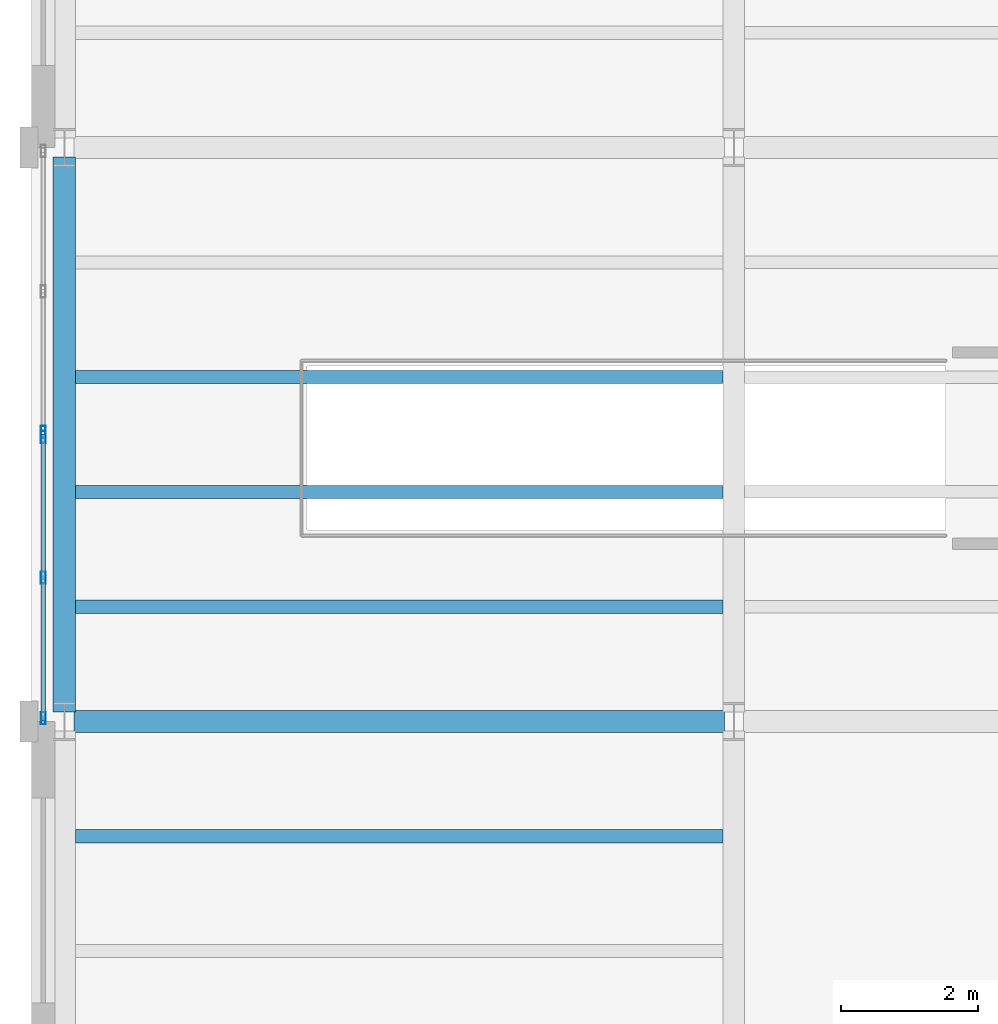
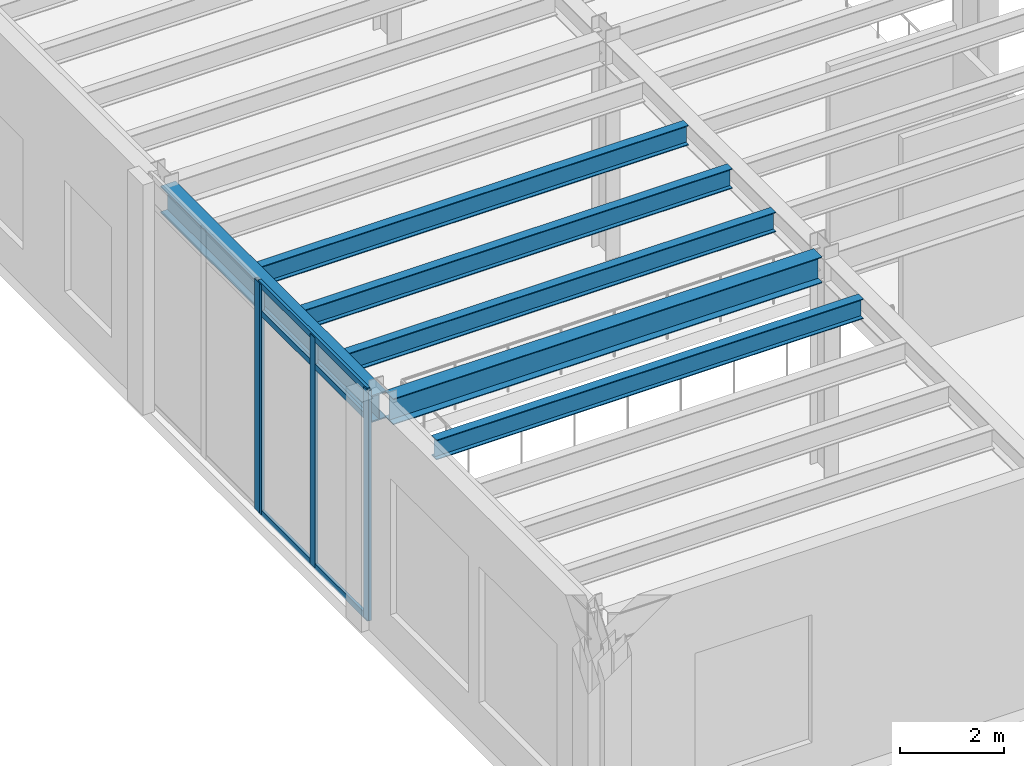
# One storey, part 18 of 98: 7 members, 6 beams, 2 elements without a shape of their own.
"""IFC4 building model written with IfcOpenShell, lengths in metres."""

from ifc_helpers import new_model, si_unit, direction, frame, origin, origin_2d, place, context, subcontext, project, spatial, hollow_rectangle, i_section, extrude, material, layer, layer_set, material_profile, profile_set, type_object, element, aggregate, save


model = new_model("IFC4")

# Units and contexts
model_context = context("Model", 3, precision=1e-05, world=origin(), true_north=direction((0.0, 1.0)))
body_context = subcontext(model_context, "Body", "Model", "MODEL_VIEW")
ifc_project = project(units=[si_unit("LENGTHUNIT", "METRE"), si_unit("AREAUNIT", "SQUARE_METRE"), si_unit("VOLUMEUNIT", "CUBIC_METRE"), si_unit("PLANEANGLEUNIT", "RADIAN"), si_unit("MASSUNIT", "GRAM", prefix="KILO")], contexts=[model_context])

# Site, building, storey
site_placement = place(None, origin())
site = spatial("IfcSite", under=ifc_project, at=site_placement, CompositionType="ELEMENT")
building_placement = place(site_placement, origin())
building = spatial("IfcBuilding", under=site, at=building_placement, Name="Sollismere Congress Hotel", CompositionType="ELEMENT")
storey_placement = place(building_placement, frame((0.0, 0.0, 5.39990234375)))
storey = spatial("IfcBuildingStorey", under=building, at=storey_placement, Name="L01", CompositionType="ELEMENT", Elevation=5.39990234375)

# Beams
ifc_material_1 = material(Name="Steel ASTM A992 Grade 50", Category="steel")
ifc_material_profile_1 = material_profile(ifc_material_1, i_section(OverallWidth=0.324951171875, OverallDepth=0.612060546875, WebThickness=0.0126953125, FlangeThickness=0.01904296875, at=origin_2d()), Name="W24X104")
ifc_profile_set_1 = profile_set([ifc_material_profile_1], Name="Steel ASTM A992 Grade 50")
beam_type_1 = type_object("IfcBeamType", Name="BM-G24", PredefinedType="BEAM", material=ifc_profile_set_1)
beam_1_placement = place(storey_placement, frame((0.139892578125, 33.199951171875, 4.814208984375), z_axis=(1.0, 0.0, 0.0), x_axis=(0.0, 1.0, 0.0)))
element("IfcBeam", 1, at=beam_1_placement, inside=storey, type_object=beam_type_1, Name="Beam BM-L01-1563", PredefinedType="BEAM", context=body_context, shape_type="SweptSolid", body=[
    extrude(i_section(OverallWidth=0.324951171875, OverallDepth=0.612060546875, WebThickness=0.0126953125, FlangeThickness=0.01904296875, at=origin_2d()), origin(), (0.0, 0.0, 1.0), 9.52001953125),
])
ifc_material_profile_2 = material_profile(ifc_material_1, i_section(OverallWidth=0.193115234375, OverallDepth=0.467041015625, WebThickness=0.011474609375, FlangeThickness=0.01904296875, at=origin_2d()), Name="W18X65")
ifc_profile_set_2 = profile_set([ifc_material_profile_2], Name="Steel ASTM A992 Grade 50")
beam_type_2 = type_object("IfcBeamType", Name="BM-J18", PredefinedType="JOIST", material=ifc_profile_set_2)
for number, where, z_axis, x_axis, name in (
    (2, (0.1650390625, 31.52001953125, 4.88671875), (1.0, 0.0, 0.0), (0.0, 1.0, 0.0), "Beam BM-L01-1726"),
    (3, (0.1650390625, 34.8798828125, 4.88671875), (1.0, 0.0, 0.0), (0.0, 1.0, 0.0), "Beam BM-L01-1727"),
    (4, (0.1650390625, 36.56005859375, 4.88671875), (1.0, 0.0, 0.0), (0.0, 1.0, 0.0), "Beam BM-L01-1728"),
    (5, (0.1650390625, 38.239990234375, 4.88671875), (1.0, 0.0, 0.0), (0.0, 1.0, 0.0), "Beam BM-L01-1729"),
):
    element("IfcBeam", number, at=place(storey_placement, frame(where, z_axis=z_axis, x_axis=x_axis)), inside=storey, type_object=beam_type_2, Name=name, PredefinedType="JOIST", context=body_context, shape_type="SweptSolid", body=[
        extrude(i_section(OverallWidth=0.193115234375, OverallDepth=0.467041015625, WebThickness=0.011474609375, FlangeThickness=0.01904296875, at=origin_2d()), origin(), (0.0, 0.0, 1.0), 9.4775390625),
    ])
ifc_material_profile_3 = material_profile(ifc_material_1, i_section(OverallWidth=0.330078125, OverallDepth=0.635009765625, WebThickness=0.017822265625, FlangeThickness=0.031005859375, at=origin_2d()), Name="W24X162")
ifc_profile_set_3 = profile_set([ifc_material_profile_3], Name="Steel ASTM A992 Grade 50")
beam_type_3 = type_object("IfcBeamType", Name="BM-SP24E", PredefinedType="SPANDREL", material=ifc_profile_set_3)
beam_2_placement = place(storey_placement, frame((0.0, 33.340087890625, 4.802490234375), z_axis=(0.0, 1.0, 0.0), x_axis=(-1.0, 0.0, 0.0)))
element("IfcBeam", 6, at=beam_2_placement, inside=storey, type_object=beam_type_3, Name="Beam BM-L01-1624", PredefinedType="SPANDREL", context=body_context, shape_type="SweptSolid", body=[
    extrude(i_section(OverallWidth=0.330078125, OverallDepth=0.635009765625, WebThickness=0.017822265625, FlangeThickness=0.031005859375, at=origin_2d()), origin(), (0.0, 0.0, 1.0), 8.119873046875),
])

# Curtain wall, members
ifc_material_2 = material(Name="Anodized Bronze Curtain Wall & Low-E Triple Glazing", Category="glass")
ifc_layer = layer(ifc_material_2, 0.199951171875, Name="Anodized Bronze Curtain Wall & Low-E Triple Glazing")
ifc_layer_set = layer_set([ifc_layer], Name="Anodized Bronze Curtain Wall & Low-E Triple Glazing")
curtain_wall_type = type_object("IfcCurtainWallType", Name="CW-GLZ36", PredefinedType="USERDEFINED", material=ifc_layer_set)
curtain_wall_1_placement = place(storey_placement, origin())
curtain_wall_1 = element("IfcCurtainWall", 7, at=curtain_wall_1_placement, inside=storey, type_object=curtain_wall_type, Name="Unitised curtain wall CW-L01-127", ObjectType="UNITISED CURTAIN WALL", PredefinedType="USERDEFINED")
ifc_material_3 = material(Name="Anodized Aluminum 6063-T6", Category="aluminium")
ifc_material_profile_4 = material_profile(ifc_material_3, hollow_rectangle(XDim=0.074951171875, YDim=0.179931640625, WallThickness=0.0048828125, at=origin_2d()), Name="ALU180X75X5")
ifc_profile_set_4 = profile_set([ifc_material_profile_4], Name="Anodized Aluminum 6063-T6")
member_type_1 = type_object("IfcMemberType", Name="ML-CW180", PredefinedType="MULLION", material=ifc_profile_set_4)
member_1_placement = place(storey_placement, frame((-0.31005859375, 33.248046875, 0.0), z_axis=(0.0, 0.0, 1.0), x_axis=(-1.0, 0.0, 0.0)))
member_1 = element("IfcMember", 8, at=member_1_placement, type_object=member_type_1, Name="CWL-CW-L01-127-ML01", PredefinedType="MULLION", context=body_context, shape_type="SweptSolid", body=[
    extrude(hollow_rectangle(XDim=0.074951171875, YDim=0.179931640625, WallThickness=0.0048828125, at=origin_2d()), origin(), (0.0, 0.0, 1.0), 5.400146484375),
])
member_2_placement = place(storey_placement, frame((-0.31005859375, 35.304931640625, 0.0), z_axis=(0.0, 0.0, 1.0), x_axis=(-1.0, 0.0, 0.0)))
member_2 = element("IfcMember", 9, at=member_2_placement, type_object=member_type_1, Name="CWL-CW-L01-127-ML02", PredefinedType="MULLION", context=body_context, shape_type="SweptSolid", body=[
    extrude(hollow_rectangle(XDim=0.074951171875, YDim=0.179931640625, WallThickness=0.0048828125, at=origin_2d()), origin(), (0.0, 0.0, 1.0), 5.400146484375),
])
member_3_placement = place(storey_placement, frame((-0.31005859375, 37.362060546875, 0.0), z_axis=(0.0, 0.0, 1.0), x_axis=(-1.0, 0.0, 0.0)))
member_3 = element("IfcMember", 10, at=member_3_placement, type_object=member_type_1, Name="CWL-CW-L01-127-ML03", PredefinedType="MULLION", context=body_context, shape_type="SweptSolid", body=[
    extrude(hollow_rectangle(XDim=0.074951171875, YDim=0.179931640625, WallThickness=0.0048828125, at=origin_2d()), origin(), (0.0, 0.0, 1.0), 5.400146484375),
])

# Curtain wall, member
curtain_wall_2_placement = place(storey_placement, origin())
curtain_wall_2 = element("IfcCurtainWall", 11, at=curtain_wall_2_placement, inside=storey, type_object=curtain_wall_type, Name="Unitised curtain wall CW-L01-128", ObjectType="UNITISED CURTAIN WALL", PredefinedType="USERDEFINED")
member_4_placement = place(storey_placement, frame((-0.31005859375, 37.43798828125, 0.0), z_axis=(0.0, 0.0, 1.0), x_axis=(-1.0, 0.0, 0.0)))
member_4 = element("IfcMember", 12, at=member_4_placement, type_object=member_type_1, Name="CWL-CW-L01-128-ML01", PredefinedType="MULLION", context=body_context, shape_type="SweptSolid", body=[
    extrude(hollow_rectangle(XDim=0.074951171875, YDim=0.179931640625, WallThickness=0.0048828125, at=origin_2d()), origin(), (0.0, 0.0, 1.0), 5.400146484375),
])
aggregate(curtain_wall_2, [member_4])

# Member
ifc_material_profile_5 = material_profile(ifc_material_3, hollow_rectangle(XDim=0.06494140625, YDim=0.139892578125, WallThickness=0.00390625, at=origin_2d()), Name="ALU140X65X4")
ifc_profile_set_5 = profile_set([ifc_material_profile_5], Name="Anodized Aluminum 6063-T6")
member_type_2 = type_object("IfcMemberType", Name="TR-CW150", PredefinedType="MEMBER", material=ifc_profile_set_5)
member_5_placement = place(storey_placement, frame((-0.31005859375, 33.2099609375, 0.03271484375), z_axis=(0.0, 1.0, 0.0), x_axis=(-1.0, 0.0, 0.0)))
member_5 = element("IfcMember", 13, at=member_5_placement, type_object=member_type_2, Name="CWL-CW-L01-127-TR1", PredefinedType="MEMBER", context=body_context, shape_type="SweptSolid", body=[
    extrude(hollow_rectangle(XDim=0.06494140625, YDim=0.139892578125, WallThickness=0.00390625, at=origin_2d()), origin(), (0.0, 0.0, 1.0), 4.18994140625),
])

member_6_placement = place(storey_placement, frame((-0.31005859375, 33.2099609375, 4.72021484375), z_axis=(0.0, 1.0, 0.0), x_axis=(-1.0, 0.0, 0.0)))
member_6 = element("IfcMember", 14, at=member_6_placement, type_object=member_type_2, Name="CWL-CW-L01-127-TR2", PredefinedType="MEMBER", context=body_context, shape_type="SweptSolid", body=[
    extrude(hollow_rectangle(XDim=0.06494140625, YDim=0.139892578125, WallThickness=0.00390625, at=origin_2d()), origin(), (0.0, 0.0, 1.0), 4.18994140625),
])

member_7_placement = place(storey_placement, frame((-0.31005859375, 33.2099609375, 5.36767578125), z_axis=(0.0, 1.0, 0.0), x_axis=(-1.0, 0.0, 0.0)))
member_7 = element("IfcMember", 15, at=member_7_placement, type_object=member_type_2, Name="CWL-CW-L01-127-TR3", PredefinedType="MEMBER", context=body_context, shape_type="SweptSolid", body=[
    extrude(hollow_rectangle(XDim=0.06494140625, YDim=0.139892578125, WallThickness=0.00390625, at=origin_2d()), origin(), (0.0, 0.0, 1.0), 4.18994140625),
])

aggregate(curtain_wall_1, [member_1, member_2, member_3, member_5, member_6, member_7])

save(model, "model.ifc")
